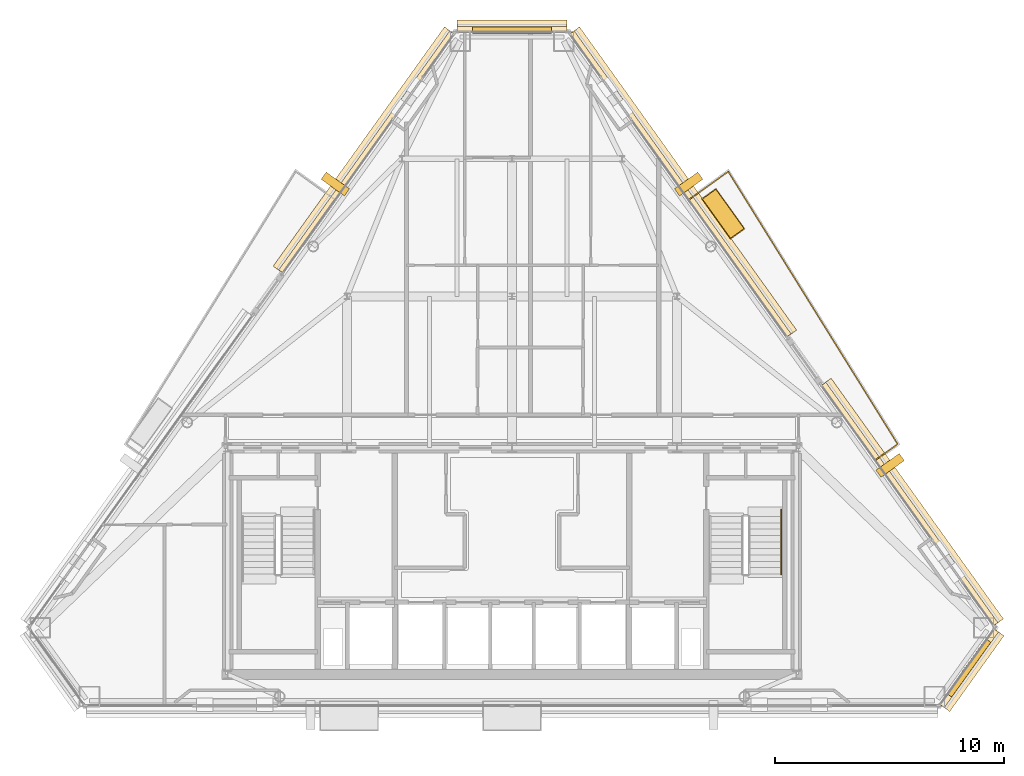
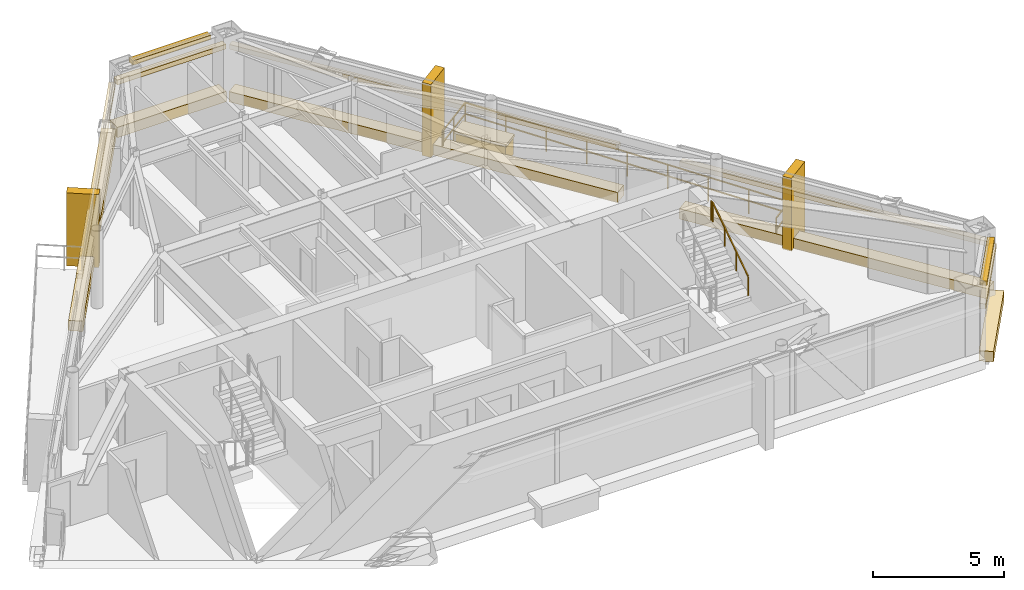
# One storey, part 12 of 12: 15 coverings, 2 railings, 2 shading devices.
"""IFC4 building model written with IfcOpenShell, lengths in metres."""

from ifc_helpers import new_model, si_unit, direction, frame, origin, origin_2d, place, context, subcontext, project, spatial, rectangle, extrude, source, transform, mapped, material, layer, layer_set, type_object, type_shapes, element, save


model = new_model("IFC4")

# Units and contexts
model_context = context("Model", 3, precision=1e-05, world=origin(), true_north=direction((0.0, 1.0)))
body_context = subcontext(model_context, "Body", "Model", "MODEL_VIEW")
ifc_project = project(units=[si_unit("LENGTHUNIT", "METRE"), si_unit("AREAUNIT", "SQUARE_METRE"), si_unit("VOLUMEUNIT", "CUBIC_METRE"), si_unit("PLANEANGLEUNIT", "RADIAN"), si_unit("MASSUNIT", "GRAM", prefix="KILO")], contexts=[model_context])

# Site, building, storey
site_placement = place(None, origin())
site = spatial("IfcSite", under=ifc_project, at=site_placement, CompositionType="ELEMENT")
building_placement = place(site_placement, origin())
building = spatial("IfcBuilding", under=site, at=building_placement, Name="Talgorran Terracotta Tower", CompositionType="ELEMENT")
storey_placement = place(building_placement, frame((0.0, 0.0, 249.0)))
storey = spatial("IfcBuildingStorey", under=building, at=storey_placement, Name="L65", CompositionType="ELEMENT", Elevation=249.0)

# Coverings
ifc_material_1 = material(Name="Kiln-Fired Terracotta Ochre Ceramic", Category="masonry")
ifc_layer_1 = layer(ifc_material_1, 0.179931640625, Name="COV_BAGUETTE_TERRACOTTA_SCREEN")
ifc_layer_set_1 = layer_set([ifc_layer_1], Name="Kiln-Fired Terracotta Ochre Ceramic")
covering_type_1 = type_object("IfcCoveringType", Name="COV_BAGUETTE_TERRACOTTA_SCREEN", PredefinedType="CLADDING", material=ifc_layer_set_1)
covering_1_placement = place(storey_placement, frame((19.938720703125, -13.818115234375, 2.41015625), z_axis=(0.0, 0.0, 1.0), x_axis=(0.582222304811, 0.813029635242, 0.0)))
element("IfcCovering", 1, at=covering_1_placement, inside=storey, type_object=covering_type_1, Name="L65 Terracotta Baguette Solar Screen Assembly F2", PredefinedType="CLADDING", context=body_context, shape_type="SweptSolid", body=[
    extrude(rectangle(XDim=4.050048828125, YDim=0.260009765625, at=origin_2d()), origin(), (0.0, 0.0, 1.0), 0.219970703125),
])
covering_2_placement = place(storey_placement, frame((17.34033203125, -6.66650390625, 2.41015625), z_axis=(0.0, 0.0, 1.0), x_axis=(-0.582208114678, 0.813039796814, 0.0)))
element("IfcCovering", 2, at=covering_2_placement, inside=storey, type_object=covering_type_1, Name="L65 Terracotta Baguette Solar Screen Assembly F40", PredefinedType="CLADDING", context=body_context, shape_type="SweptSolid", body=[
    extrude(rectangle(XDim=12.89599609375, YDim=0.260009765625, at=origin_2d()), origin(), (0.0, 0.0, 1.0), 0.219970703125),
])
covering_3_placement = place(storey_placement, frame((7.3408203125, 7.297607421875, 2.41015625), z_axis=(0.0, 0.0, 1.0), x_axis=(-0.582208114678, 0.813039796814, 0.0)))
element("IfcCovering", 3, at=covering_3_placement, inside=storey, type_object=covering_type_1, Name="L65 Terracotta Baguette Solar Screen Assembly F41", PredefinedType="CLADDING", context=body_context, shape_type="SweptSolid", body=[
    extrude(rectangle(XDim=16.254638671875, YDim=0.260009765625, at=origin_2d()), origin(), (0.0, 0.0, 1.0), 0.219970703125),
])
covering_4_placement = place(storey_placement, frame((0.0, 14.03662109375, 2.41015625), z_axis=(0.0, 0.0, 1.0), x_axis=(-1.0, 0.0, 0.0)))
element("IfcCovering", 4, at=covering_4_placement, inside=storey, type_object=covering_type_1, Name="L65 Terracotta Baguette Solar Screen Assembly F4", PredefinedType="CLADDING", context=body_context, shape_type="SweptSolid", body=[
    extrude(rectangle(XDim=4.787109375, YDim=0.260009765625, at=origin_2d()), origin(), (0.0, 0.0, 1.0), 0.219970703125),
])
covering_5_placement = place(storey_placement, frame((-6.341552734375, 8.693115234375, 2.41015625), z_axis=(0.0, 0.0, 1.0), x_axis=(-0.582208114678, -0.813039796814, 0.0)))
element("IfcCovering", 5, at=covering_5_placement, inside=storey, type_object=covering_type_1, Name="L65 Terracotta Baguette Solar Screen Assembly F60", PredefinedType="CLADDING", context=body_context, shape_type="SweptSolid", body=[
    extrude(rectangle(XDim=12.822021484375, YDim=0.260009765625, at=origin_2d()), origin(), (0.0, 0.0, 1.0), 0.219970703125),
])
ifc_material_2 = material(Name="Honed Limestone and Terracotta Planter", Category="masonry")
ifc_layer_2 = layer(ifc_material_2, 0.1201171875, Name="COV_PLANTER_BOX")
ifc_layer_set_2 = layer_set([ifc_layer_2], Name="Honed Limestone and Terracotta Planter")
covering_type_2 = type_object("IfcCoveringType", Name="COV_PLANTER_BOX", PredefinedType="CLADDING", material=ifc_layer_set_2)
covering_6_placement = place(storey_placement, frame((9.215087890625, 6.002685546875, -0.02001953125), z_axis=(0.0, 0.0, 1.0), x_axis=(-0.582208114678, 0.813039796814, 0.0)))
element("IfcCovering", 6, at=covering_6_placement, inside=storey, type_object=covering_type_2, Name="L65 Staggered Balcony Planter Box BAL-NE", PredefinedType="CLADDING", context=body_context, shape_type="SweptSolid", body=[
    extrude(rectangle(XDim=2.10009765625, YDim=0.719970703125, at=origin_2d()), origin(), (0.0, 0.0, 1.0), 0.860107421875),
])
ifc_material_3 = material(Name="Kiln-Fired Terracotta Planter Rim", Category="masonry")
ifc_layer_3 = layer(ifc_material_3, 0.10009765625, Name="COV_PLANTER_RIM")
ifc_layer_set_3 = layer_set([ifc_layer_3], Name="Kiln-Fired Terracotta Planter Rim")
covering_type_3 = type_object("IfcCoveringType", Name="COV_PLANTER_RIM", PredefinedType="CLADDING", material=ifc_layer_set_3)
covering_7_placement = place(storey_placement, frame((9.215087890625, 6.002685546875, 0.800048828125), z_axis=(0.0, 0.0, 1.0), x_axis=(-0.582208114678, 0.813039796814, 0.0)))
element("IfcCovering", 7, at=covering_7_placement, inside=storey, type_object=covering_type_3, Name="L65 Balcony Planter Terracotta Rim BAL-NE", PredefinedType="CLADDING", context=body_context, shape_type="SweptSolid", body=[
    extrude(rectangle(XDim=2.179931640625, YDim=0.780029296875, at=origin_2d()), origin(), (0.0, 0.0, 1.0), 0.1201171875),
])
ifc_material_4 = material(Name="Honed Limestone Cladding", Category="masonry")
ifc_layer_4 = layer(ifc_material_4, 0.094970703125, Name="COV_PORTAL_LIME")
ifc_layer_set_4 = layer_set([ifc_layer_4], Name="Honed Limestone Cladding")
covering_type_4 = type_object("IfcCoveringType", Name="COV_PORTAL_LIME", PredefinedType="CLADDING", material=ifc_layer_set_4)
for number, where, z_axis, x_axis, name in (
    (8, (16.4970703125, -4.9736328125, -0.050048828125), (0.0, 0.0, 1.0), (-0.582208114678, 0.813039796814, 0.0), "L65 White Striped Portal Fin F3-1"),
    (9, (-7.708251953125, 7.2998046875, -0.050048828125), (0.0, 0.0, 1.0), (-0.582208114678, -0.813039796814, 0.0), "L65 White Striped Portal Fin F5-1"),
):
    element("IfcCovering", number, at=place(storey_placement, frame(where, z_axis=z_axis, x_axis=x_axis)), inside=storey, type_object=covering_type_4, Name=name, PredefinedType="CLADDING", context=body_context, shape_type="SweptSolid", body=[
        extrude(rectangle(XDim=0.3798828125, YDim=1.25, at=origin_2d()), origin(), (0.0, 0.0, 1.0), 3.39501953125),
    ])
ifc_material_5 = material(Name="Kiln-Fired Terracotta Cladding", Category="masonry")
ifc_layer_5 = layer(ifc_material_5, 0.090087890625, Name="COV_PORTAL_TERRA")
ifc_layer_set_5 = layer_set([ifc_layer_5], Name="Kiln-Fired Terracotta Cladding")
covering_type_5 = type_object("IfcCoveringType", Name="COV_PORTAL_TERRA", PredefinedType="CLADDING", material=ifc_layer_set_5)
covering_8_placement = place(storey_placement, frame((20.052490234375, -13.899658203125, -0.0400390625), z_axis=(0.0, 0.0, 1.0), x_axis=(0.582222304811, 0.813029635242, 0.0)))
element("IfcCovering", 10, at=covering_8_placement, inside=storey, type_object=covering_type_5, Name="L65 Striped Postmodern Portal Cladding Band F2", PredefinedType="CLADDING", context=body_context, shape_type="SweptSolid", body=[
    extrude(rectangle(XDim=4.070068359375, YDim=0.56005859375, at=origin_2d()), origin(), (0.0, 0.0, 1.0), 0.47998046875),
])
covering_9_placement = place(storey_placement, frame((17.4541015625, -6.585205078125, -0.0400390625), z_axis=(0.0, 0.0, 1.0), x_axis=(-0.582208114678, 0.813039796814, 0.0)))
element("IfcCovering", 11, at=covering_9_placement, inside=storey, type_object=covering_type_5, Name="L65 Striped Postmodern Portal Cladding Band F40", PredefinedType="CLADDING", context=body_context, shape_type="SweptSolid", body=[
    extrude(rectangle(XDim=12.916015625, YDim=0.56005859375, at=origin_2d()), origin(), (0.0, 0.0, 1.0), 0.47998046875),
])
covering_10_placement = place(storey_placement, frame((7.45458984375, 7.379150390625, -0.0400390625), z_axis=(0.0, 0.0, 1.0), x_axis=(-0.582208114678, 0.813039796814, 0.0)))
element("IfcCovering", 12, at=covering_10_placement, inside=storey, type_object=covering_type_5, Name="L65 Striped Postmodern Portal Cladding Band F41", PredefinedType="CLADDING", context=body_context, shape_type="SweptSolid", body=[
    extrude(rectangle(XDim=16.274658203125, YDim=0.56005859375, at=origin_2d()), origin(), (0.0, 0.0, 1.0), 0.47998046875),
])
covering_11_placement = place(storey_placement, frame((0.0, 14.1767578125, -0.0400390625), z_axis=(0.0, 0.0, 1.0), x_axis=(-1.0, 0.0, 0.0)))
element("IfcCovering", 13, at=covering_11_placement, inside=storey, type_object=covering_type_5, Name="L65 Striped Postmodern Portal Cladding Band F4", PredefinedType="CLADDING", context=body_context, shape_type="SweptSolid", body=[
    extrude(rectangle(XDim=4.80712890625, YDim=0.56005859375, at=origin_2d()), origin(), (0.0, 0.0, 1.0), 0.47998046875),
])
covering_12_placement = place(storey_placement, frame((-6.455322265625, 8.774658203125, -0.0400390625), z_axis=(0.0, 0.0, 1.0), x_axis=(-0.582208114678, -0.813039796814, 0.0)))
element("IfcCovering", 14, at=covering_12_placement, inside=storey, type_object=covering_type_5, Name="L65 Striped Postmodern Portal Cladding Band F60", PredefinedType="CLADDING", context=body_context, shape_type="SweptSolid", body=[
    extrude(rectangle(XDim=12.842041015625, YDim=0.56005859375, at=origin_2d()), origin(), (0.0, 0.0, 1.0), 0.47998046875),
])
covering_13_placement = place(storey_placement, frame((7.708251953125, 7.2998046875, -0.050048828125), z_axis=(0.0, 0.0, 1.0), x_axis=(-0.582208114678, 0.813039796814, 0.0)))
element("IfcCovering", 15, at=covering_13_placement, inside=storey, type_object=covering_type_5, Name="L65 Terracotta Striped Portal Fin F3-2", PredefinedType="CLADDING", context=body_context, shape_type="SweptSolid", body=[
    extrude(rectangle(XDim=0.3798828125, YDim=1.25, at=origin_2d()), origin(), (0.0, 0.0, 1.0), 3.39501953125),
])

# Railings
ifc_material_6 = material(Name="Laminated Glass and Stainless Steel 316", Category="steel")
railing_type_1 = type_object("IfcRailingType", Name="RL_BALCONY_1150", PredefinedType="BALUSTRADE", material=ifc_material_6)
railing_1_placement = place(storey_placement, frame((15.861083984375, -4.738037109375, 0.0)))
element("IfcRailing", 16, at=railing_1_placement, inside=storey, type_object=railing_type_1, Name="RL-L65-BAL-BAL-NE", PredefinedType="BALUSTRADE", context=body_context, shape_type="SweptSolid", body=[
    extrude(rectangle(XDim=0.048095703125, YDim=0.048095703125, at=origin_2d()), frame((0.0, 0.0, 1.1259765625), z_axis=(0.81307992825, 0.582152068001, 0.0), x_axis=(-0.582152068001, 0.81307992825, 0.0)), (0.0, 0.0, 1.0), 1.187255859375),
    extrude(rectangle(XDim=0.048095703125, YDim=0.048095703125, at=origin_2d()), frame((0.0, 0.0, 0.597900390625), z_axis=(0.81307992825, 0.582152068001, 0.0), x_axis=(-0.582152068001, 0.81307992825, 0.0)), (0.0, 0.0, 1.0), 1.187255859375),
    extrude(rectangle(XDim=0.048095703125, YDim=0.048095703125, at=origin_2d()), frame((0.96533203125, 0.691162109375, 1.1259765625), z_axis=(-0.527807671519, 0.849363916049, 0.0), x_axis=(-0.849363916049, -0.527807671519, 0.0)), (0.0, 0.0, 1.0), 14.001953125),
    extrude(rectangle(XDim=0.048095703125, YDim=0.048095703125, at=origin_2d()), frame((0.96533203125, 0.691162109375, 0.597900390625), z_axis=(-0.527807671519, 0.849363916049, 0.0), x_axis=(-0.849363916049, -0.527807671519, 0.0)), (0.0, 0.0, 1.0), 14.001953125),
    extrude(rectangle(XDim=0.048095703125, YDim=0.048095703125, at=origin_2d()), frame((-6.425048828125, 12.583984375, 1.1259765625), z_axis=(-0.813026876026, -0.582226157828, 0.0), x_axis=(0.582226157828, -0.813026876026, 0.0)), (0.0, 0.0, 1.0), 2.102783203125),
    extrude(rectangle(XDim=0.048095703125, YDim=0.048095703125, at=origin_2d()), frame((-6.425048828125, 12.583984375, 0.597900390625), z_axis=(-0.813026876026, -0.582226157828, 0.0), x_axis=(0.582226157828, -0.813026876026, 0.0)), (0.0, 0.0, 1.0), 2.102783203125),
    extrude(rectangle(XDim=0.0419921875, YDim=0.0419921875, at=origin_2d()), origin(), (0.0, 0.0, 1.0), 1.101806640625),
    extrude(rectangle(XDim=0.0419921875, YDim=0.0419921875, at=origin_2d()), frame((0.96533203125, 0.691162109375, 0.0)), (0.0, 0.0, 1.0), 1.101806640625),
    extrude(rectangle(XDim=0.0419921875, YDim=0.0419921875, at=origin_2d()), frame((0.04150390625, 2.177734375, 0.0)), (0.0, 0.0, 1.0), 1.101806640625),
    extrude(rectangle(XDim=0.0419921875, YDim=0.0419921875, at=origin_2d()), frame((-0.88232421875, 3.664306640625, 0.0)), (0.0, 0.0, 1.0), 1.101806640625),
    extrude(rectangle(XDim=0.0419921875, YDim=0.0419921875, at=origin_2d()), frame((-1.80615234375, 5.15087890625, 0.0)), (0.0, 0.0, 1.0), 1.101806640625),
    extrude(rectangle(XDim=0.0419921875, YDim=0.0419921875, at=origin_2d()), frame((-2.72998046875, 6.6376953125, 0.0)), (0.0, 0.0, 1.0), 1.101806640625),
    extrude(rectangle(XDim=0.0419921875, YDim=0.0419921875, at=origin_2d()), frame((-3.653564453125, 8.124267578125, 0.0)), (0.0, 0.0, 1.0), 1.101806640625),
    extrude(rectangle(XDim=0.0419921875, YDim=0.0419921875, at=origin_2d()), frame((-4.577392578125, 9.61083984375, 0.0)), (0.0, 0.0, 1.0), 1.101806640625),
    extrude(rectangle(XDim=0.0419921875, YDim=0.0419921875, at=origin_2d()), frame((-5.501220703125, 11.097412109375, 0.0)), (0.0, 0.0, 1.0), 1.101806640625),
    extrude(rectangle(XDim=0.0419921875, YDim=0.0419921875, at=origin_2d()), frame((-6.425048828125, 12.583984375, 0.0)), (0.0, 0.0, 1.0), 1.101806640625),
    extrude(rectangle(XDim=0.0419921875, YDim=0.0419921875, at=origin_2d()), frame((-7.27978515625, 11.9716796875, 0.0)), (0.0, 0.0, 1.0), 1.101806640625),
    extrude(rectangle(XDim=0.0419921875, YDim=0.0419921875, at=origin_2d()), frame((-8.134765625, 11.359619140625, 0.0)), (0.0, 0.0, 1.0), 1.101806640625),
])
ifc_material_7 = material(Name="Steel S355 (300PLUS)", Category="steel")
railing_type_2 = type_object("IfcRailingType", Name="RL_HANDRAIL_920", PredefinedType="HANDRAIL", material=ifc_material_7)
railing_2_placement = place(storey_placement, frame((11.75, -9.719970703125, 1.97998046875)))
element("IfcRailing", 17, at=railing_2_placement, inside=storey, type_object=railing_type_2, Name="L65 ST-02 stair handrail 2", PredefinedType="HANDRAIL", context=body_context, shape_type="SweptSolid", body=[
    extrude(rectangle(XDim=0.048095703125, YDim=0.048095703125, at=origin_2d()), frame((0.0, 0.0, 0.89599609375), z_axis=(0.0, 0.832038719335, 0.554717558338), x_axis=(-1.0, 0.0, 0.0)), (0.0, 0.0, 1.0), 3.244873046875),
    extrude(rectangle(XDim=0.048095703125, YDim=0.048095703125, at=origin_2d()), frame((0.0, 2.699951171875, 2.69580078125), z_axis=(0.0, 1.0, 0.0), x_axis=(-1.0, 0.0, 0.0)), (0.0, 0.0, 1.0), 0.1201171875),
    extrude(rectangle(XDim=0.0419921875, YDim=0.0419921875, at=origin_2d()), origin(), (0.0, 0.0, 1.0), 0.871826171875),
    extrude(rectangle(XDim=0.0419921875, YDim=0.0419921875, at=origin_2d()), frame((0.0, 0.89990234375, 0.60009765625)), (0.0, 0.0, 1.0), 0.871826171875),
    extrude(rectangle(XDim=0.0419921875, YDim=0.0419921875, at=origin_2d()), frame((0.0, 1.800048828125, 1.199951171875)), (0.0, 0.0, 1.0), 0.871826171875),
    extrude(rectangle(XDim=0.0419921875, YDim=0.0419921875, at=origin_2d()), frame((0.0, 2.699951171875, 1.800048828125)), (0.0, 0.0, 1.0), 0.871826171875),
    extrude(rectangle(XDim=0.0419921875, YDim=0.0419921875, at=origin_2d()), frame((0.0, 2.820068359375, 1.800048828125)), (0.0, 0.0, 1.0), 0.871826171875),
])

# Shading devices
ifc_material_8 = material(Name="Kiln-Fired Terracotta", Category="masonry")
ifc_layer_6 = layer(ifc_material_8, 0.280029296875, Name="SHD_SUNSHADE_TERRA")
ifc_layer_set_6 = layer_set([ifc_layer_6], Name="Kiln-Fired Terracotta")
shading_device_type = type_object("IfcShadingDeviceType", Name="SHD_SUNSHADE_TERRA", PredefinedType="AWNING", material=ifc_layer_set_6)
shared_shape_1 = source(origin(), body_context, "Body", "SweptSolid", [
    extrude(rectangle(XDim=2.93310546875, YDim=0.280029296875, at=origin_2d()), origin(), (0.0, 0.0, 1.0), 0.199951171875),
])
shading_device_1_placement = place(storey_placement, frame((19.92236328125, -13.806640625, 3.10498046875), z_axis=(0.0, 0.0, 1.0), x_axis=(0.582222304811, 0.813029635242, 0.0)))
element("IfcShadingDevice", 18, at=shading_device_1_placement, inside=storey, type_object=shading_device_type, Name="SHD-BROW-L65-F2", PredefinedType="AWNING", context=body_context, shape_type="MappedRepresentation", body=[
    mapped(shared_shape_1, transform((0.0, 0.0, 0.0), scale=1.0)),
])
shared_shape_2 = source(origin(), body_context, "Body", "SweptSolid", [
    extrude(rectangle(XDim=3.448974609375, YDim=0.280029296875, at=origin_2d()), origin(), (0.0, 0.0, 1.0), 0.199951171875),
])
type_shapes(shading_device_type, [shared_shape_1, shared_shape_2])
shading_device_2_placement = place(storey_placement, frame((0.0, 14.0166015625, 3.10498046875), z_axis=(0.0, 0.0, 1.0), x_axis=(-1.0, 0.0, 0.0)))
element("IfcShadingDevice", 19, at=shading_device_2_placement, inside=storey, type_object=shading_device_type, Name="SHD-BROW-L65-F4", PredefinedType="AWNING", context=body_context, shape_type="MappedRepresentation", body=[
    mapped(shared_shape_2, transform((0.0, 0.0, 0.0), scale=1.0)),
])

save(model, "model.ifc")
